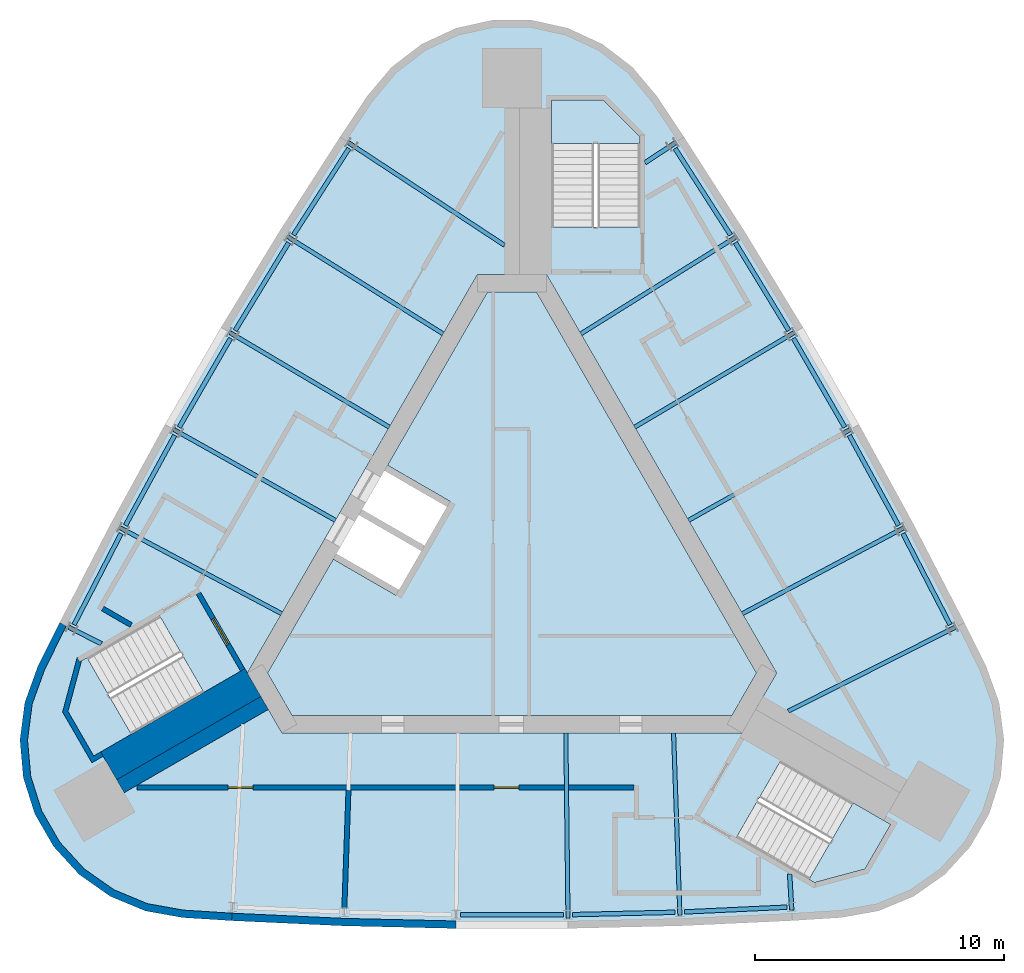
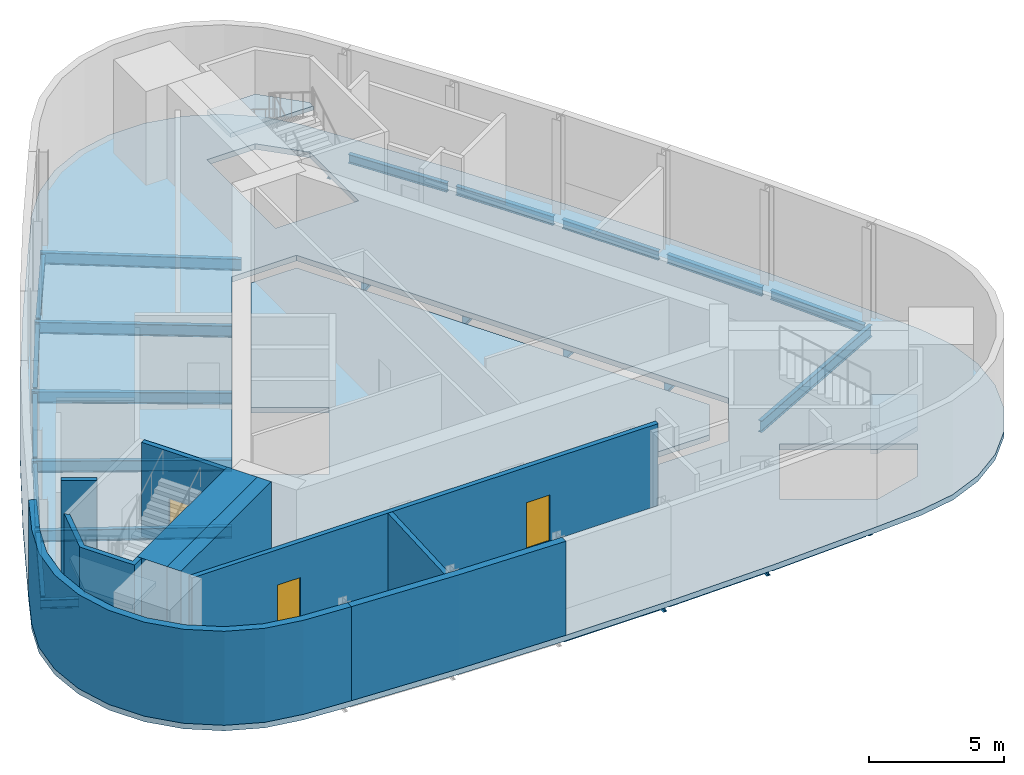
# One storey, part 3 of 7: 28 beams, 9 walls, 5 slabs, 3 doors, 3 openings, 3 elements without a shape of their own.
"""IFC4 building model written with IfcOpenShell, lengths in metres."""

import ifcopenshell
import ifcopenshell.guid

model = None  # the IFC model being written
_history = None  # IfcOwnerHistory: only IFC2X3 demands one
_inside = {}  # id of a spatial element -> (the spatial element, [elements in it])
_under = {}  # id of a project, library or spatial element -> (it, [spatial elements below it])
_declared = {}  # id of a project -> (the project, [libraries it declares])
_typed = {}  # id of a type object -> (the type object, [elements of that type])
_made_of = {}  # id of a material, layer set ... -> (it, [elements and type objects made of it])


def new_model(schema):
    """Start an empty IFC model of exactly this schema.

    Asked for "IFC4X3", IfcOpenShell would pick the latest addendum, in which some entities
    have other attributes; the version numbers below select the first issue.
    IFC2X3 requires an IfcOwnerHistory on every rooted entity: one is made here for all.
    """
    global model, _history
    if schema == "IFC4X3":
        model = ifcopenshell.file(schema_version=(4, 3, 0, 0))
    else:
        model = ifcopenshell.file(schema=schema)
    _inside.clear()
    _under.clear()
    _declared.clear()
    _typed.clear()
    _made_of.clear()
    _history = None
    if model.schema == "IFC2X3":
        org = make("IfcOrganization", Name="unknown")
        user = make(
            "IfcPersonAndOrganization",
            ThePerson=make("IfcPerson", FamilyName="unknown"),
            TheOrganization=org,
        )
        app = make(
            "IfcApplication",
            ApplicationDeveloper=org,
            Version="unknown",
            ApplicationFullName="unknown",
            ApplicationIdentifier="unknown",
        )
        _history = make(
            "IfcOwnerHistory",
            OwningUser=user,
            OwningApplication=app,
            ChangeAction="ADDED",
            CreationDate=0,
        )
    return model


def make(cls, **values):
    """One entity of the class cls with the attributes given. An attribute that is None is left unset."""
    return model.create_entity(
        cls, **{name: value for name, value in values.items() if value is not None}
    )


def rooted(cls, **values):
    """An entity with a GlobalId (a new one), such as an element, a storey or a relation."""
    return make(cls, GlobalId=ifcopenshell.guid.new(), OwnerHistory=_history, **values)


def si_unit(unit_type, name, prefix=None):
    """IfcSIUnit, for example si_unit("LENGTHUNIT", "METRE", prefix="MILLI")."""
    return make("IfcSIUnit", UnitType=unit_type, Prefix=prefix, Name=name)


def assignment(units):
    """IfcUnitAssignment: the units of a project."""
    return None if units is None else make("IfcUnitAssignment", Units=units)


def point(xyz):
    """IfcCartesianPoint."""
    return None if xyz is None else make("IfcCartesianPoint", Coordinates=xyz)


def direction(xyz):
    """IfcDirection."""
    return None if xyz is None else make("IfcDirection", DirectionRatios=xyz)


def frame(location, z_axis=None, x_axis=None):
    """IfcAxis2Placement3D, a coordinate frame: its origin and axes. An axis left out is left unset."""
    return make(
        "IfcAxis2Placement3D",
        Location=point(location),
        Axis=direction(z_axis),
        RefDirection=direction(x_axis),
    )


def frame_2d(location, x_axis=None):
    """IfcAxis2Placement2D, a coordinate frame in the plane: its origin and x axis."""
    return make(
        "IfcAxis2Placement2D", Location=point(location), RefDirection=direction(x_axis)
    )


def origin():
    """The frame at (0, 0, 0) with its axes left unset."""
    return frame((0.0, 0.0, 0.0))


def origin_2d():
    """The frame at (0, 0) in the plane with its x axis left unset."""
    return frame_2d((0.0, 0.0))


def place(relative_to, where):
    """IfcLocalPlacement: puts the frame where relative to a parent placement (None: the world)."""
    return make(
        "IfcLocalPlacement", PlacementRelTo=relative_to, RelativePlacement=where
    )


def context(
    kind, dimensions, precision=None, world=None, true_north=None, identifier=None
):
    """IfcGeometricRepresentationContext, for example the 3D "Model" context."""
    return make(
        "IfcGeometricRepresentationContext",
        ContextIdentifier=identifier,
        ContextType=kind,
        CoordinateSpaceDimension=dimensions,
        Precision=precision,
        WorldCoordinateSystem=world,
        TrueNorth=true_north,
    )


def subcontext(parent, identifier, kind, view, scale=None):
    """IfcGeometricRepresentationSubContext, for example "Body" below "Model"."""
    return make(
        "IfcGeometricRepresentationSubContext",
        ContextIdentifier=identifier,
        ContextType=kind,
        ParentContext=parent,
        TargetScale=scale,
        TargetView=view,
    )


def project(units=None, contexts=None):
    """IfcProject with its units and contexts."""
    return rooted(
        "IfcProject",
        Name="project",
        RepresentationContexts=contexts,
        UnitsInContext=assignment(units),
    )


def spatial(cls, under=None, at=None, **own):
    """A site, building, storey or space (cls), placed at a placement, below another one or the project."""
    s = rooted(cls, ObjectPlacement=at, **own)
    if under is not None:
        _under.setdefault(under.id(), (under, []))[1].append(s)
    return s


def polyline(points):
    """IfcPolyline through the points."""
    return make("IfcPolyline", Points=[point(p) for p in points])


def profile(cls, at=None, kind="AREA", **sizes):
    """A parametric profile (cls). Its sizes go by their IFC names, for example OverallWidth=200.0."""
    return make(cls, ProfileType=kind, Position=at, **sizes)


def rectangle(**sizes):
    """IfcRectangleProfileDef."""
    return profile("IfcRectangleProfileDef", **sizes)


def i_section(**sizes):
    """IfcIShapeProfileDef."""
    return profile("IfcIShapeProfileDef", **sizes)


def outline(outer, holes=None, kind="AREA"):
    """IfcArbitraryClosedProfileDef: a profile drawn as a closed curve; with holes, ...WithVoids."""
    if holes is None:
        return make("IfcArbitraryClosedProfileDef", ProfileType=kind, OuterCurve=outer)
    return make(
        "IfcArbitraryProfileDefWithVoids",
        ProfileType=kind,
        OuterCurve=outer,
        InnerCurves=holes,
    )


def extrude(swept, where, along, depth):
    """IfcExtrudedAreaSolid: the profile swept, set in the frame where, extruded along a direction by depth."""
    return make(
        "IfcExtrudedAreaSolid",
        SweptArea=swept,
        Position=where,
        ExtrudedDirection=direction(along),
        Depth=depth,
    )


def shape(context_of_items, identifier, shape_type, items):
    """IfcShapeRepresentation: the items that make up one representation, for example the "Body"."""
    return make(
        "IfcShapeRepresentation",
        ContextOfItems=context_of_items,
        RepresentationIdentifier=identifier,
        RepresentationType=shape_type,
        Items=items,
    )


def material(Name=None, Category=None):
    """IfcMaterial."""
    return make("IfcMaterial", Name=Name, Category=Category)


def layer(
    of_material, thickness, ventilated=None, Name=None, Category=None, Priority=None
):
    """IfcMaterialLayer: one layer of a wall or slab, of a material (None: an air gap)."""
    return make(
        "IfcMaterialLayer",
        Material=of_material,
        LayerThickness=thickness,
        IsVentilated=ventilated,
        Name=Name,
        Category=Category,
        Priority=Priority,
    )


def layer_set(layers, Name=None):
    """IfcMaterialLayerSet."""
    return make("IfcMaterialLayerSet", MaterialLayers=layers, LayerSetName=Name)


def material_profile(
    of_material, cross_section, Name=None, Category=None, Priority=None
):
    """IfcMaterialProfile: a cross section and its material."""
    return make(
        "IfcMaterialProfile",
        Name=Name,
        Material=of_material,
        Profile=cross_section,
        Priority=Priority,
        Category=Category,
    )


def profile_set(profiles, Name=None, composite=None):
    """IfcMaterialProfileSet."""
    return make(
        "IfcMaterialProfileSet",
        Name=Name,
        MaterialProfiles=profiles,
        CompositeProfile=composite,
    )


def made_of(thing, what):
    """Note that an element or type object is made of a material, layer set ...; save() writes the relation."""
    if what is not None:
        _made_of.setdefault(what.id(), (what, []))[1].append(thing)
    return thing


def type_object(cls, material=None, **own):
    """A type object (cls), such as IfcWallType, which elements share."""
    return made_of(rooted(cls, **own), material)


def element(
    cls,
    number,
    at=None,
    inside=None,
    cuts=None,
    type_object=None,
    material=None,
    context=None,
    identifier="Body",
    shape_type=None,
    held_by="IfcProductDefinitionShape",
    body=None,
    shapes=None,
    **own,
):
    """One element of the class cls, such as IfcWall. Its Tag is "e" and its number.

    at: its placement. inside: the storey or other place that contains it. cuts: it is an
    opening in that element (IfcRelVoidsElement). A single representation is given by context,
    identifier, shape_type and body (its items); several are given by shapes. held_by: the class
    of the entity that holds the representations. save() writes the other relations.
    """
    e = rooted(cls, Tag="e%d" % number, ObjectPlacement=at, **own)
    if body is not None:
        shapes = [shape(context, identifier, shape_type, body)]
    if shapes is not None:
        e.Representation = make(held_by, Representations=shapes)
    if inside is not None:
        _inside.setdefault(inside.id(), (inside, []))[1].append(e)
    if cuts is not None:
        rooted(
            "IfcRelVoidsElement", RelatingBuildingElement=cuts, RelatedOpeningElement=e
        )
    if type_object is not None:
        _typed.setdefault(type_object.id(), (type_object, []))[1].append(e)
    return made_of(e, material)


def fill(opening, filler):
    """IfcRelFillsElement: the door or window that sits in an opening."""
    return rooted(
        "IfcRelFillsElement",
        RelatingOpeningElement=opening,
        RelatedBuildingElement=filler,
    )


def aggregate(whole, parts):
    """IfcRelAggregates: a whole, such as a stair, and the parts it consists of."""
    return rooted("IfcRelAggregates", RelatingObject=whole, RelatedObjects=parts)


def save(model, path):
    """Write the relations noted so far, then the file.

    IfcRelAggregates (storeys below a building ...), IfcRelContainedInSpatialStructure (elements
    in a storey), IfcRelDefinesByType, IfcRelAssociatesMaterial and IfcRelDeclares: one each for
    every whole, place, type object, material and project.
    """
    for whole, parts in _under.values():
        aggregate(whole, parts)
    for where, things in _inside.values():
        rooted(
            "IfcRelContainedInSpatialStructure",
            RelatedElements=things,
            RelatingStructure=where,
        )
    for kind, things in _typed.values():
        rooted("IfcRelDefinesByType", RelatedObjects=things, RelatingType=kind)
    for what, things in _made_of.values():
        rooted("IfcRelAssociatesMaterial", RelatedObjects=things, RelatingMaterial=what)
    for by, libraries in _declared.values():
        rooted("IfcRelDeclares", RelatingContext=by, RelatedDefinitions=libraries)
    model.write(path)


model = new_model("IFC4")

# Units and contexts
model_context = context("Model", 3, precision=1e-05, world=origin(), true_north=direction((0.0, 1.0)))
body_context = subcontext(model_context, "Body", "Model", "MODEL_VIEW")
ifc_project = project(units=[si_unit("LENGTHUNIT", "METRE"), si_unit("AREAUNIT", "SQUARE_METRE"), si_unit("VOLUMEUNIT", "CUBIC_METRE"), si_unit("PLANEANGLEUNIT", "RADIAN"), si_unit("MASSUNIT", "GRAM", prefix="KILO")], contexts=[model_context])

# Site, building, storey
site_placement = place(None, origin())
site = spatial("IfcSite", under=ifc_project, at=site_placement, CompositionType="ELEMENT")
building_placement = place(site_placement, origin())
building = spatial("IfcBuilding", under=site, at=building_placement, Name="Noor Cloister Tower", CompositionType="ELEMENT")
storey_placement = place(building_placement, frame((0.0, 0.0, 297.60009765625)))
storey = spatial("IfcBuildingStorey", under=building, at=storey_placement, Name="L75", CompositionType="ELEMENT", Elevation=297.60009765625)

# Beams
ifc_material_1 = material(Name="Steel ASTM A992 Gr 50", Category="steel")
ifc_material_profile_1 = material_profile(ifc_material_1, i_section(OverallWidth=0.177978515625, OverallDepth=0.406005859375, WebThickness=0.0078125, FlangeThickness=0.0126953125, FilletRadius=0.01025390625, at=origin_2d()), Name="W410x60")
ifc_profile_set_1 = profile_set([ifc_material_profile_1], Name="Steel ASTM A992 Gr 50")
beam_type_1 = type_object("IfcBeamType", Name="Radial beam W410x60", PredefinedType="BEAM", material=ifc_profile_set_1)
for number, where, z_axis, x_axis, name in (
    (1, (-17.762451171875, -2.69921875, -0.453125), (0.893513410786, -0.449036507141, 0.0), (0.449036507141, 0.893513410786, 0.0), "Radial beam NW 06 L75"),
    (2, (11.218994140625, -14.033203125, -0.453125), (-0.058088486933, 0.998311438222, 0.0), (-0.998311438222, -0.058088486933, 0.0), "Radial beam S 06 L75"),
    (3, (6.543701171875, 16.732421875, -0.453125), (-0.835592525802, -0.549349734526, 0.0), (0.549349734526, -0.835592525802, 0.0), "Radial beam NE 06 L75"),
):
    element("IfcBeam", number, at=place(storey_placement, frame(where, z_axis=z_axis, x_axis=x_axis)), inside=storey, type_object=beam_type_1, Name=name, PredefinedType="BEAM", context=body_context, shape_type="SweptSolid", body=[
        extrude(i_section(OverallWidth=0.177978515625, OverallDepth=0.406005859375, WebThickness=0.0078125, FlangeThickness=0.0126953125, FilletRadius=0.01025390625, at=origin_2d()), origin(), (0.0, 0.0, 1.0), 1.44580078125),
    ])
ifc_material_2 = material(Name="Steel ASTM A992 Gr 50", Category="steel")
ifc_material_profile_2 = material_profile(ifc_material_2, i_section(OverallWidth=0.166015625, OverallDepth=0.528076171875, WebThickness=0.009765625, FlangeThickness=0.013671875, FilletRadius=0.0126953125, at=origin_2d()), Name="W530x74")
ifc_profile_set_2 = profile_set([ifc_material_profile_2], Name="Steel ASTM A992 Gr 50")
beam_type_2 = type_object("IfcBeamType", Name="Radial beam W530x74", PredefinedType="BEAM", material=ifc_profile_set_2)
beam_1_placement = place(storey_placement, frame((-6.543701171875, 16.732421875, -0.51416015625), z_axis=(0.835597066484, -0.549342827825, 0.0), x_axis=(0.549342827825, 0.835597066484, 0.0)))
element("IfcBeam", 4, at=beam_1_placement, inside=storey, type_object=beam_type_2, Name="Radial beam NW 01 L75", PredefinedType="BEAM", context=body_context, shape_type="SweptSolid", body=[
    extrude(i_section(OverallWidth=0.166015625, OverallDepth=0.528076171875, WebThickness=0.009765625, FlangeThickness=0.013671875, FilletRadius=0.0126953125, at=origin_2d()), origin(), (0.0, 0.0, 1.0), 7.47216796875),
])
beam_2_placement = place(storey_placement, frame((-8.966552734375, 12.952392578125, -0.51416015625), z_axis=(0.848095755563, -0.529842985606, 0.0), x_axis=(0.529842985606, 0.848095755563, 0.0)))
element("IfcBeam", 5, at=beam_2_placement, inside=storey, type_object=beam_type_2, Name="Radial beam NW 02 L75", PredefinedType="BEAM", context=body_context, shape_type="SweptSolid", body=[
    extrude(i_section(OverallWidth=0.166015625, OverallDepth=0.528076171875, WebThickness=0.009765625, FlangeThickness=0.013671875, FilletRadius=0.0126953125, at=origin_2d()), origin(), (0.0, 0.0, 1.0), 7.317626953125),
])
beam_3_placement = place(storey_placement, frame((-11.301025390625, 9.116943359375, -0.51416015625), z_axis=(0.8601674766, -0.510011678492, 0.0), x_axis=(0.510011678492, 0.8601674766, 0.0)))
element("IfcBeam", 6, at=beam_3_placement, inside=storey, type_object=beam_type_2, Name="Radial beam NW 03 L75", PredefinedType="BEAM", context=body_context, shape_type="SweptSolid", body=[
    extrude(i_section(OverallWidth=0.166015625, OverallDepth=0.528076171875, WebThickness=0.009765625, FlangeThickness=0.013671875, FilletRadius=0.0126953125, at=origin_2d()), origin(), (0.0, 0.0, 1.0), 7.41796875),
])
beam_4_placement = place(storey_placement, frame((-13.546142578125, 5.228515625, -0.51416015625), z_axis=(0.871771481583, -0.489912730901, 0.0), x_axis=(0.489912730901, 0.871771481583, 0.0)))
element("IfcBeam", 7, at=beam_4_placement, inside=storey, type_object=beam_type_2, Name="Radial beam NW 04 L75", PredefinedType="BEAM", context=body_context, shape_type="SweptSolid", body=[
    extrude(i_section(OverallWidth=0.166015625, OverallDepth=0.528076171875, WebThickness=0.009765625, FlangeThickness=0.013671875, FilletRadius=0.0126953125, at=origin_2d()), origin(), (0.0, 0.0, 1.0), 7.417724609375),
])
beam_5_placement = place(storey_placement, frame((-15.7001953125, 1.2890625, -0.51416015625), z_axis=(0.882900936167, -0.469559300745, 0.0), x_axis=(0.469559300745, 0.882900936167, 0.0)))
element("IfcBeam", 8, at=beam_5_placement, inside=storey, type_object=beam_type_2, Name="Radial beam NW 05 L75", PredefinedType="BEAM", context=body_context, shape_type="SweptSolid", body=[
    extrude(i_section(OverallWidth=0.166015625, OverallDepth=0.528076171875, WebThickness=0.009765625, FlangeThickness=0.013671875, FilletRadius=0.0126953125, at=origin_2d()), origin(), (0.0, 0.0, 1.0), 7.317626953125),
])
beam_6_placement = place(storey_placement, frame((2.244873046875, -14.345458984375, -0.51416015625), z_axis=(-0.011585411151, 0.999932886872, 0.0), x_axis=(-0.999932886872, -0.011585411151, 0.0)))
element("IfcBeam", 9, at=beam_6_placement, inside=storey, type_object=beam_type_2, Name="Radial beam S 04 L75", PredefinedType="BEAM", context=body_context, shape_type="SweptSolid", body=[
    extrude(i_section(OverallWidth=0.166015625, OverallDepth=0.528076171875, WebThickness=0.009765625, FlangeThickness=0.013671875, FilletRadius=0.0126953125, at=origin_2d()), origin(), (0.0, 0.0, 1.0), 7.417724609375),
])
beam_7_placement = place(storey_placement, frame((6.733642578125, -14.241455078125, -0.51416015625), z_axis=(-0.034764484893, 0.999395532605, 0.0), x_axis=(-0.999395532605, -0.034764484893, 0.0)))
element("IfcBeam", 10, at=beam_7_placement, inside=storey, type_object=beam_type_2, Name="Radial beam S 05 L75", PredefinedType="BEAM", context=body_context, shape_type="SweptSolid", body=[
    extrude(i_section(OverallWidth=0.166015625, OverallDepth=0.528076171875, WebThickness=0.009765625, FlangeThickness=0.013671875, FilletRadius=0.0126953125, at=origin_2d()), origin(), (0.0, 0.0, 1.0), 7.317626953125),
])
beam_8_placement = place(storey_placement, frame((17.762451171875, -2.69921875, -0.51416015625), z_axis=(-0.893543245424, -0.448977135897, 0.0), x_axis=(0.448977135897, -0.893543245424, 0.0)))
element("IfcBeam", 11, at=beam_8_placement, inside=storey, type_object=beam_type_2, Name="Radial beam NE 01 L75", PredefinedType="BEAM", context=body_context, shape_type="SweptSolid", body=[
    extrude(i_section(OverallWidth=0.166015625, OverallDepth=0.528076171875, WebThickness=0.009765625, FlangeThickness=0.013671875, FilletRadius=0.0126953125, at=origin_2d()), origin(), (0.0, 0.0, 1.0), 7.471923828125),
])
beam_9_placement = place(storey_placement, frame((15.7001953125, 1.2890625, -0.51416015625), z_axis=(-0.882900936167, -0.469559300745, 0.0), x_axis=(0.469559300745, -0.882900936167, 0.0)))
element("IfcBeam", 12, at=beam_9_placement, inside=storey, type_object=beam_type_2, Name="Radial beam NE 02 L75", PredefinedType="BEAM", context=body_context, shape_type="SweptSolid", body=[
    extrude(i_section(OverallWidth=0.166015625, OverallDepth=0.528076171875, WebThickness=0.009765625, FlangeThickness=0.013671875, FilletRadius=0.0126953125, at=origin_2d()), origin(), (0.0, 0.0, 1.0), 7.317626953125),
])
beam_10_placement = place(storey_placement, frame((13.546142578125, 5.228515625, -0.51416015625), z_axis=(-0.871771481583, -0.489912730901, 0.0), x_axis=(0.489912730901, -0.871771481583, 0.0)))
element("IfcBeam", 13, at=beam_10_placement, inside=storey, type_object=beam_type_2, Name="Radial beam NE 03 L75", PredefinedType="BEAM", context=body_context, shape_type="SweptSolid", body=[
    extrude(i_section(OverallWidth=0.166015625, OverallDepth=0.528076171875, WebThickness=0.009765625, FlangeThickness=0.013671875, FilletRadius=0.0126953125, at=origin_2d()), origin(), (0.0, 0.0, 1.0), 7.417724609375),
])
beam_11_placement = place(storey_placement, frame((11.301025390625, 9.116943359375, -0.51416015625), z_axis=(-0.8601674766, -0.510011678492, 0.0), x_axis=(0.510011678492, -0.8601674766, 0.0)))
element("IfcBeam", 14, at=beam_11_placement, inside=storey, type_object=beam_type_2, Name="Radial beam NE 04 L75", PredefinedType="BEAM", context=body_context, shape_type="SweptSolid", body=[
    extrude(i_section(OverallWidth=0.166015625, OverallDepth=0.528076171875, WebThickness=0.009765625, FlangeThickness=0.013671875, FilletRadius=0.0126953125, at=origin_2d()), origin(), (0.0, 0.0, 1.0), 7.41796875),
])
beam_12_placement = place(storey_placement, frame((8.966552734375, 12.952392578125, -0.51416015625), z_axis=(-0.848095755563, -0.529842985606, 0.0), x_axis=(0.529842985606, -0.848095755563, 0.0)))
element("IfcBeam", 15, at=beam_12_placement, inside=storey, type_object=beam_type_2, Name="Radial beam NE 05 L75", PredefinedType="BEAM", context=body_context, shape_type="SweptSolid", body=[
    extrude(i_section(OverallWidth=0.166015625, OverallDepth=0.528076171875, WebThickness=0.009765625, FlangeThickness=0.013671875, FilletRadius=0.0126953125, at=origin_2d()), origin(), (0.0, 0.0, 1.0), 7.317626953125),
])
ifc_material_3 = material(Name="Steel ASTM A992 Gr 50", Category="steel")
ifc_material_profile_3 = material_profile(ifc_material_3, i_section(OverallWidth=0.177978515625, OverallDepth=0.406005859375, WebThickness=0.0078125, FlangeThickness=0.0126953125, FilletRadius=0.01025390625, at=origin_2d()), Name="W410x60")
ifc_profile_set_3 = profile_set([ifc_material_profile_3], Name="Steel ASTM A992 Gr 50")
beam_type_3 = type_object("IfcBeamType", Name="Spandrel beam W410x60", PredefinedType="SPANDREL", material=ifc_profile_set_3)
for number, where, z_axis, x_axis, name in (
    (16, (-6.541015625, 16.510498046875, -0.453125), (-0.539591790673, -0.841926777956, 0.0), (0.841926777956, -0.539591790673, 0.0), "Spandrel beam NW 01 L75"),
    (17, (-8.958740234375, 12.73046875, -0.453125), (-0.519967629608, -0.854185965794, 0.0), (0.854185965794, -0.519967629608, 0.0), "Spandrel beam NW 02 L75"),
    (18, (-11.2880859375, 8.8955078125, -0.453125), (-0.499989236795, -0.866031617834, 0.0), (0.866031617834, -0.499989236795, 0.0), "Spandrel beam NW 03 L75"),
    (19, (-13.528076171875, 5.00732421875, -0.453125), (-0.479794519486, -0.877380885973, 0.0), (0.877380885973, -0.479794519486, 0.0), "Spandrel beam NW 04 L75"),
    (20, (-15.677001953125, 1.068359375, -0.453125), (-0.459334235581, -0.888263508213, 0.0), (0.888263508213, -0.459334235581, 0.0), "Spandrel beam NW 05 L75"),
    (21, (-2.0595703125, -14.2236328125, -0.453125), (1.0, 0.0, 0.0), (0.0, 1.0, 0.0), "Spandrel beam S 03 L75"),
):
    element("IfcBeam", number, at=place(storey_placement, frame(where, z_axis=z_axis, x_axis=x_axis)), inside=storey, type_object=beam_type_3, Name=name, PredefinedType="SPANDREL", context=body_context, shape_type="SweptSolid", body=[
        extrude(i_section(OverallWidth=0.177978515625, OverallDepth=0.406005859375, WebThickness=0.0078125, FlangeThickness=0.0126953125, FilletRadius=0.01025390625, at=origin_2d()), origin(), (0.0, 0.0, 1.0), 4.119140625),
    ])
beam_13_placement = place(storey_placement, frame((2.427490234375, -14.21923828125, -0.453125), z_axis=(0.999731452345, 0.023173760841, 0.0), x_axis=(-0.023173760841, 0.999731452345, 0.0)))
element("IfcBeam", 22, at=beam_13_placement, inside=storey, type_object=beam_type_3, Name="Spandrel beam S 04 L75", PredefinedType="SPANDREL", context=body_context, shape_type="SweptSolid", body=[
    extrude(i_section(OverallWidth=0.177978515625, OverallDepth=0.406005859375, WebThickness=0.0078125, FlangeThickness=0.0126953125, FilletRadius=0.01025390625, at=origin_2d()), origin(), (0.0, 0.0, 1.0), 4.119384765625),
])
for number, where, z_axis, x_axis, name in (
    (23, (6.913330078125, -14.11083984375, -0.453125), (0.998925325351, 0.046348617801, 0.0), (-0.046348617801, 0.998925325351, 0.0), "Spandrel beam S 05 L75"),
    (24, (17.569091796875, -2.590576171875, -0.453125), (-0.459334235581, 0.888263508213, 0.0), (-0.888263508213, -0.459334235581, 0.0), "Spandrel beam NE 01 L75"),
    (25, (15.50439453125, 1.393310546875, -0.453125), (-0.479794519486, 0.877380885973, 0.0), (-0.877380885973, -0.479794519486, 0.0), "Spandrel beam NE 02 L75"),
    (26, (13.34765625, 5.328125, -0.453125), (-0.499989236795, 0.866031617834, 0.0), (-0.866031617834, -0.499989236795, 0.0), "Spandrel beam NE 03 L75"),
    (27, (11.1005859375, 9.2119140625, -0.453125), (-0.519967629608, 0.854185965794, 0.0), (-0.854185965794, -0.519967629608, 0.0), "Spandrel beam NE 04 L75"),
    (28, (8.763671875, 13.04248046875, -0.453125), (-0.539591790673, 0.841926777956, 0.0), (-0.841926777956, -0.539591790673, 0.0), "Spandrel beam NE 05 L75"),
):
    element("IfcBeam", number, at=place(storey_placement, frame(where, z_axis=z_axis, x_axis=x_axis)), inside=storey, type_object=beam_type_3, Name=name, PredefinedType="SPANDREL", context=body_context, shape_type="SweptSolid", body=[
        extrude(i_section(OverallWidth=0.177978515625, OverallDepth=0.406005859375, WebThickness=0.0078125, FlangeThickness=0.0126953125, FilletRadius=0.01025390625, at=origin_2d()), origin(), (0.0, 0.0, 1.0), 4.119140625),
    ])

# Slabs
ifc_material_4 = material(Name="Concrete C40/50", Category="concrete")
ifc_layer_1 = layer(ifc_material_4, 0.25)
ifc_layer_set_1 = layer_set([ifc_layer_1], Name="Core floor slab 250 C40/50")
slab_type_1 = type_object("IfcSlabType", Name="Core floor slab 250 C40/50", PredefinedType="FLOOR", material=ifc_layer_set_1)
slab_1_placement = place(storey_placement, frame((0.0, 0.0, -0.25)))
element("IfcSlab", 29, at=slab_1_placement, inside=storey, type_object=slab_type_1, Name="Core floor L75", PredefinedType="FLOOR", context=body_context, shape_type="SweptSolid", body=[
    extrude(outline(polyline([(-4.993896484375, 3.806884765625), (-2.482421875, 2.35693359375), (-4.6572265625, -1.410400390625), (-7.168701171875, 0.039794921875), (-9.80615234375, -4.5283203125), (-8.82470703125, -6.228271484375), (8.82470703125, -6.228271484375), (9.80615234375, -4.5283203125), (0.9814453125, 10.75634765625), (-0.9814453125, 10.75634765625), (-4.993896484375, 3.806884765625)])), origin(), (0.0, 0.0, 1.0), 0.25),
])
ifc_material_5 = material(Name="Concrete C40/50", Category="concrete")
ifc_layer_2 = layer(ifc_material_5, 0.25)
ifc_layer_set_2 = layer_set([ifc_layer_2], Name="Floor slab 250 C40/50")
slab_type_2 = type_object("IfcSlabType", Name="Floor slab 250 C40/50", PredefinedType="FLOOR", material=ifc_layer_set_2)
slab_2_placement = place(storey_placement, frame((0.0, 0.0, -0.25)))
element("IfcSlab", 30, at=slab_2_placement, inside=storey, type_object=slab_type_2, Name="Floor slab L75", PredefinedType="FLOOR", context=body_context, shape_type="SweptSolid", body=[
    extrude(outline(polyline([(5.809814453125, 18.609619140625), (4.830078125, 19.771484375), (3.62255859375, 20.69482421875), (2.244140625, 21.33544921875), (0.760009765625, 21.66357421875), (-0.760009765625, 21.66357421875), (-2.244140625, 21.33544921875), (-3.62255859375, 20.69482421875), (-4.830078125, 19.771484375), (-5.809814453125, 18.609619140625), (-6.9013671875, 16.967529296875), (-9.32958984375, 13.178955078125), (-11.669189453125, 9.335205078125), (-13.919189453125, 5.438232421875), (-16.078125, 1.489990234375), (-18.14501953125, -2.507080078125), (-19.021240234375, -4.2734375), (-19.53759765625, -5.702880859375), (-19.7333984375, -7.210205078125), (-19.59912109375, -8.724365234375), (-19.14111328125, -10.173583984375), (-18.381103515625, -11.489990234375), (-17.35498046875, -12.611083984375), (-16.11083984375, -13.484619140625), (-14.707763671875, -14.068603515625), (-13.21142578125, -14.336181640625), (-11.24365234375, -14.46044921875), (-6.74853515625, -14.669189453125), (-2.25, -14.7734375), (2.25, -14.7734375), (6.74853515625, -14.669189453125), (11.24365234375, -14.46044921875), (13.21142578125, -14.336181640625), (14.707763671875, -14.068603515625), (16.11083984375, -13.484619140625), (17.35498046875, -12.611083984375), (18.381103515625, -11.489990234375), (19.14111328125, -10.173583984375), (19.59912109375, -8.724365234375), (19.7333984375, -7.210205078125), (19.53759765625, -5.702880859375), (19.021240234375, -4.2734375), (18.14501953125, -2.507080078125), (16.078125, 1.489990234375), (13.919189453125, 5.438232421875), (11.669189453125, 9.335205078125), (9.32958984375, 13.178955078125), (6.9013671875, 16.967529296875), (5.809814453125, 18.609619140625)]), holes=[polyline([(8.999755859375, -11.126220703125), (12.131591796875, -12.934326171875), (14.1572265625, -12.3916015625), (15.19091796875, -10.601318359375), (10.774658203125, -8.0517578125), (8.999755859375, -11.126220703125)]), polyline([(-17.81005859375, -6.064697265625), (-16.776611328125, -7.85498046875), (-12.3603515625, -5.305419921875), (-14.13525390625, -2.23095703125), (-16.662841796875, -3.690185546875), (-17.267333984375, -4.039306640625), (-17.81005859375, -6.064697265625)]), polyline([(-10.6142578125, -4.5283203125), (-9.228759765625, -6.92822265625), (9.228759765625, -6.92822265625), (10.6142578125, -4.5283203125), (1.3857421875, 11.456298828125), (-1.3857421875, 11.456298828125), (-10.6142578125, -4.5283203125)]), polyline([(3.65283203125, 18.456298828125), (1.585693359375, 18.456298828125), (1.585693359375, 13.35693359375), (5.135498046875, 13.35693359375), (5.135498046875, 16.9736328125), (3.65283203125, 18.456298828125)])]), origin(), (0.0, 0.0, 1.0), 0.25),
])

# Stair, slab
ifc_material_6 = material(Name="Concrete C40/50", Category="concrete")
stair_type = type_object("IfcStairType", Name="Exit stair 26 risers", PredefinedType="HALF_TURN_STAIR", material=ifc_material_6)
stair_1_placement = place(storey_placement, origin())
stair_1 = element("IfcStair", 31, at=stair_1_placement, inside=storey, type_object=stair_type, Name="Exit stair ST1 L75", PredefinedType="HALF_TURN_STAIR")
ifc_material_7 = material(Name="Concrete C40/50", Category="concrete")
ifc_layer_3 = layer(ifc_material_7, 0.199951171875)
ifc_layer_set_3 = layer_set([ifc_layer_3], Name="Stair landing 200 C40/50")
slab_type_3 = type_object("IfcSlabType", Name="Stair landing 200 C40/50", PredefinedType="LANDING", material=ifc_layer_set_3)
slab_3_placement = place(storey_placement, frame((0.0, 0.0, 2.0498046875)))
slab_3 = element("IfcSlab", 32, at=slab_3_placement, type_object=slab_type_3, Name="ST1 landing 1", PredefinedType="LANDING", context=body_context, shape_type="SweptSolid", body=[
    extrude(outline(polyline([(5.135498046875, 16.7158203125), (5.135498046875, 16.9736328125), (3.65283203125, 18.456298828125), (1.585693359375, 18.456298828125), (1.585693359375, 16.7158203125), (5.135498046875, 16.7158203125)])), origin(), (0.0, 0.0, 1.0), 0.2001953125),
])
aggregate(stair_1, [slab_3])

stair_2_placement = place(storey_placement, origin())
stair_2 = element("IfcStair", 33, at=stair_2_placement, inside=storey, type_object=stair_type, Name="Exit stair ST2 L75", PredefinedType="HALF_TURN_STAIR")
slab_4_placement = place(storey_placement, frame((0.0, 0.0, 2.0498046875)))
slab_4 = element("IfcSlab", 34, at=slab_4_placement, type_object=slab_type_3, Name="ST2 landing 1", PredefinedType="LANDING", context=body_context, shape_type="SweptSolid", body=[
    extrude(outline(polyline([(-17.044189453125, -3.910400390625), (-17.267333984375, -4.039306640625), (-17.81005859375, -6.064697265625), (-16.776611328125, -7.85498046875), (-15.26904296875, -6.984619140625), (-17.044189453125, -3.910400390625)])), origin(), (0.0, 0.0, 1.0), 0.2001953125),
])
aggregate(stair_2, [slab_4])

stair_3_placement = place(storey_placement, origin())
stair_3 = element("IfcStair", 35, at=stair_3_placement, inside=storey, type_object=stair_type, Name="Exit stair ST3 L75", PredefinedType="HALF_TURN_STAIR")
slab_5_placement = place(storey_placement, frame((0.0, 0.0, 2.0498046875)))
slab_5 = element("IfcSlab", 36, at=slab_5_placement, type_object=slab_type_3, Name="ST3 landing 1", PredefinedType="LANDING", context=body_context, shape_type="SweptSolid", body=[
    extrude(outline(polyline([(11.908447265625, -12.805419921875), (12.131591796875, -12.934326171875), (14.1572265625, -12.3916015625), (15.19091796875, -10.601318359375), (13.68359375, -9.731201171875), (11.908447265625, -12.805419921875)])), origin(), (0.0, 0.0, 1.0), 0.2001953125),
])
aggregate(stair_3, [slab_5])

# Walls
ifc_material_8 = material(Name="Concrete C50/60", Category="concrete")
ifc_layer_4 = layer(ifc_material_8, 0.60009765625)
ifc_layer_set_4 = layer_set([ifc_layer_4], Name="Buttress wall 600 C50/60")
wall_type_1 = type_object("IfcWallType", Name="Buttress wall 600 C50/60", PredefinedType="SHEAR", material=ifc_layer_set_4)
wall_1_placement = place(storey_placement, frame((-9.921630859375, -5.728271484375, -0.25), z_axis=(0.0, 0.0, 1.0), x_axis=(-0.866032176823, -0.499988268569, 0.0)))
element("IfcWall", 37, at=wall_1_placement, inside=storey, type_object=wall_type_1, Name="Buttress wall SW L75", PredefinedType="SHEAR", context=body_context, shape_type="SweptSolid", body=[
    extrude(rectangle(XDim=6.678466796875, YDim=0.60009765625, at=frame_2d((3.33935546875, 0.0))), origin(), (0.0, 0.0, 1.0), 4.5),
])
ifc_material_9 = material(Name="Limestone", Category="masonry")
ifc_layer_5 = layer(ifc_material_9, 0.300048828125)
ifc_layer_set_5 = layer_set([ifc_layer_5], Name="Limestone cladding 300")
wall_type_2 = type_object("IfcWallType", Name="Limestone cladding 300", PredefinedType="NOTDEFINED", material=ifc_layer_set_5)
wall_2_placement = place(storey_placement, origin())
element("IfcWall", 38, at=wall_2_placement, inside=storey, type_object=wall_type_2, Name="Limestone pier cladding L75 1.1", PredefinedType="NOTDEFINED", context=body_context, shape_type="SweptSolid", body=[
    extrude(outline(polyline([(-18.14501953125, -2.507080078125), (-19.021240234375, -4.2734375), (-19.53759765625, -5.702880859375), (-19.7333984375, -7.210205078125), (-19.59912109375, -8.724365234375), (-19.14111328125, -10.173583984375), (-18.381103515625, -11.489990234375), (-17.35498046875, -12.611083984375), (-16.11083984375, -13.484619140625), (-14.707763671875, -14.068603515625), (-13.21142578125, -14.336181640625), (-11.24365234375, -14.46044921875), (-11.224853515625, -14.1611328125), (-13.175537109375, -14.037841796875), (-14.62255859375, -13.779052734375), (-15.96533203125, -13.22021484375), (-17.15576171875, -12.384521484375), (-18.1376953125, -11.3115234375), (-18.864990234375, -10.052001953125), (-19.30322265625, -8.6650390625), (-19.431640625, -7.21630859375), (-19.244384765625, -5.77392578125), (-18.744873046875, -4.391357421875), (-17.876220703125, -2.640380859375), (-18.14501953125, -2.507080078125)])), origin(), (0.0, 0.0, 1.0), 4.25),
])
ifc_material_10 = material(Name="Limestone", Category="masonry")
ifc_layer_6 = layer(ifc_material_10, 0.300048828125)
ifc_layer_set_6 = layer_set([ifc_layer_6], Name="Limestone panel wall 300")
wall_type_3 = type_object("IfcWallType", Name="Limestone panel wall 300", PredefinedType="NOTDEFINED", material=ifc_layer_set_6)
wall_3_placement = place(storey_placement, origin())
element("IfcWall", 39, at=wall_3_placement, inside=storey, type_object=wall_type_3, Name="Limestone crown wall L75 2a", PredefinedType="NOTDEFINED", context=body_context, shape_type="SweptSolid", body=[
    extrude(outline(polyline([(-11.24365234375, -14.46044921875), (-6.74853515625, -14.669189453125), (-2.25, -14.7734375), (-2.242919921875, -14.4736328125), (-6.73828125, -14.369384765625), (-11.229736328125, -14.160888671875), (-11.24365234375, -14.46044921875)])), origin(), (0.0, 0.0, 1.0), 4.25),
])
ifc_material_11 = material(Name="Concrete C50/60", Category="concrete")
ifc_layer_7 = layer(ifc_material_11, 1.285888671875)
ifc_layer_set_7 = layer_set([ifc_layer_7], Name="Stair enclosure wall 1286 C50/60")
wall_type_4 = type_object("IfcWallType", Name="Stair enclosure wall 1286 C50/60", PredefinedType="SHEAR", material=ifc_layer_set_7)
wall_4_placement = place(storey_placement, frame((-10.392822265625, -4.91162109375, -0.25), z_axis=(0.0, 0.0, 1.0), x_axis=(-0.866025486527, -0.499999856685, 0.0)))
element("IfcWall", 40, at=wall_4_placement, inside=storey, type_object=wall_type_4, Name="Stair enclosure wall ST2 L75 riser side", PredefinedType="SHEAR", context=body_context, shape_type="SweptSolid", body=[
    extrude(rectangle(XDim=6.6787109375, YDim=1.28564453125, at=frame_2d((3.33935546875, 0.0))), origin(), (0.0, 0.0, 1.0), 4.5),
])

# Wall, opening, door
ifc_material_12 = material(Name="Concrete C50/60", Category="concrete")
ifc_layer_8 = layer(ifc_material_12, 0.199951171875)
ifc_layer_set_8 = layer_set([ifc_layer_8], Name="Stair enclosure wall 200 C50/60")
wall_type_5 = type_object("IfcWallType", Name="Stair enclosure wall 200 C50/60", PredefinedType="SHEAR", material=ifc_layer_set_8)
wall_5_placement = place(storey_placement, frame((-12.575927734375, -1.33056640625, -0.25), z_axis=(0.0, 0.0, 1.0), x_axis=(0.499970499736, -0.8660424351, 0.0)))
wall_5 = element("IfcWall", 41, at=wall_5_placement, inside=storey, type_object=wall_type_5, Name="Stair enclosure wall ST2 L75 near end", PredefinedType="SHEAR", context=body_context, shape_type="SweptSolid", body=[
    extrude(rectangle(XDim=3.550048828125, YDim=0.199951171875, at=frame_2d((1.77490234375, 0.0))), origin(), (0.0, 0.0, 1.0), 4.5),
])
opening_1_placement = place(wall_5_placement, frame((1.175048828125, 0.0, 0.25)))
opening_1 = element("IfcOpeningElement", 42, at=opening_1_placement, cuts=wall_5, Name="Opening L75-ST2L", PredefinedType="OPENING", context=body_context, shape_type="SweptSolid", body=[
    extrude(rectangle(XDim=1.199951171875, YDim=2.10009765625, at=frame_2d((0.60009765625, 1.050048828125))), frame((0.0, 0.10986328125, 0.0), z_axis=(0.0, -1.0, 0.0), x_axis=(1.0, 0.0, 0.0)), (0.0, 0.0, 1.0), 0.219970703125),
])
ifc_material_13 = material(Name="Steel", Category="steel")
door_type_1 = type_object("IfcDoorType", Name="Stair door 1200 x 2100 FD120", OperationType="SINGLE_SWING_LEFT", PredefinedType="DOOR", material=ifc_material_13)
door_1_placement = place(opening_1_placement, origin())
door_1 = element("IfcDoor", 43, at=door_1_placement, inside=storey, type_object=door_type_1, Name="Stair door ST2 L75", OperationType="SINGLE_SWING_RIGHT", OverallHeight=2.10009765625, OverallWidth=1.199951171875, PredefinedType="DOOR", context=body_context, shape_type="SweptSolid", body=[
    extrude(rectangle(XDim=1.199951171875, YDim=2.10009765625, at=frame_2d((0.60009765625, 1.050048828125))), frame((0.0, 0.02490234375, 0.0), z_axis=(0.0, -1.0, 0.0), x_axis=(1.0, 0.0, 0.0)), (0.0, 0.0, 1.0), 0.050048828125),
])
fill(opening_1, door_1)

# Walls
ifc_material_14 = material(Name="Concrete C50/60", Category="concrete")
wall_type_6 = type_object("IfcWallType", Name="Stair far end wall C50/60", PredefinedType="SHEAR", material=ifc_material_14)
wall_6_placement = place(storey_placement, frame((0.0, 0.0, -0.25)))
element("IfcWall", 44, at=wall_6_placement, inside=storey, type_object=wall_type_6, Name="Stair enclosure wall ST2 L75 far end", PredefinedType="SHEAR", context=body_context, shape_type="SweptSolid", body=[
    extrude(outline(polyline([(-17.439208984375, -3.907470703125), (-18.024658203125, -6.093017578125), (-16.849609375, -8.128173828125), (-16.398193359375, -7.867431640625), (-16.498291015625, -7.6943359375), (-16.498291015625, -7.6943359375), (-16.776611328125, -7.85498046875), (-17.81005859375, -6.064697265625), (-17.267333984375, -4.039306640625), (-17.339111328125, -4.08056640625), (-17.339111328125, -4.08056640625), (-17.339111328125, -4.08056640625), (-17.339111328125, -4.08056640625), (-17.339111328125, -4.08056640625), (-17.339111328125, -4.08056640625), (-17.339111328125, -4.08056640625), (-17.339111328125, -4.08056640625), (-17.339111328125, -4.08056640625), (-17.339111328125, -4.08056640625), (-17.339111328125, -4.08056640625), (-17.339111328125, -4.08056640625), (-17.339111328125, -4.08056640625), (-17.339111328125, -4.08056640625), (-17.339111328125, -4.08056640625), (-17.339111328125, -4.08056640625), (-17.339111328125, -4.08056640625), (-17.439208984375, -3.907470703125)])), origin(), (0.0, 0.0, 1.0), 4.5),
])
ifc_material_15 = material(Name="Concrete block wall, 200 mm", Category="concrete")
ifc_layer_9 = layer(ifc_material_15, 0.199951171875)
ifc_layer_set_9 = layer_set([ifc_layer_9], Name="Upper floor plant room wall 200")
wall_type_7 = type_object("IfcWallType", Name="Upper floor plant room wall 200", PredefinedType="PARTITIONING", material=ifc_layer_set_9)
wall_7_placement = place(storey_placement, frame((-16.4208984375, -1.942138671875, 0.0), z_axis=(0.0, 0.0, 1.0), x_axis=(0.865991484893, -0.500058744641, 0.0)))
element("IfcWall", 45, at=wall_7_placement, inside=storey, type_object=wall_type_7, Name="Upper floor plant room wall 200 L75 006", PredefinedType="PARTITIONING", context=body_context, shape_type="SweptSolid", body=[
    extrude(rectangle(XDim=1.319580078125, YDim=0.199951171875, at=frame_2d((0.65966796875, 0.0))), origin(), (0.0, 0.0, 1.0), 4.25),
])

# Wall, openings, doors
wall_8_placement = place(storey_placement, frame((-15.037353515625, -9.128173828125, 0.0), z_axis=(0.0, 0.0, 1.0), x_axis=(1.0, 0.0, 0.0)))
wall_8 = element("IfcWall", 46, at=wall_8_placement, inside=storey, type_object=wall_type_7, Name="Upper floor plant room wall 200 L75 010", PredefinedType="PARTITIONING", context=body_context, shape_type="SweptSolid", body=[
    extrude(rectangle(XDim=19.937255859375, YDim=0.199951171875, at=frame_2d((9.96875, 0.0))), origin(), (0.0, 0.0, 1.0), 3.701904296875),
])
opening_2_placement = place(wall_8_placement, frame((3.654052734375, 0.0, 0.0)))
opening_2 = element("IfcOpeningElement", 47, at=opening_2_placement, cuts=wall_8, Name="Opening L75-004", PredefinedType="OPENING", context=body_context, shape_type="SweptSolid", body=[
    extrude(rectangle(XDim=1.0, YDim=2.10009765625, at=frame_2d((0.5, 1.050048828125))), frame((0.0, 0.10986328125, 0.0), z_axis=(0.0, -1.0, 0.0), x_axis=(1.0, 0.0, 0.0)), (0.0, 0.0, 1.0), 0.219970703125),
])
opening_3_placement = place(wall_8_placement, frame((14.30908203125, 0.0, 0.0)))
opening_3 = element("IfcOpeningElement", 48, at=opening_3_placement, cuts=wall_8, Name="Opening L75-005", PredefinedType="OPENING", context=body_context, shape_type="SweptSolid", body=[
    extrude(rectangle(XDim=1.0, YDim=2.10009765625, at=frame_2d((0.5, 1.050048828125))), frame((0.0, 0.10986328125, 0.0), z_axis=(0.0, -1.0, 0.0), x_axis=(1.0, 0.0, 0.0)), (0.0, 0.0, 1.0), 0.219970703125),
])
ifc_material_16 = material(Name="Timber door leaf with steel frame", Category="steel")
door_type_2 = type_object("IfcDoorType", Name="Plant room door 1000", OperationType="NOTDEFINED", PredefinedType="DOOR", material=ifc_material_16)
door_2_placement = place(opening_2_placement, origin())
door_2 = element("IfcDoor", 49, at=door_2_placement, inside=storey, type_object=door_type_2, Name="Plant room door 1000 L75-004", OperationType="SINGLE_SWING_LEFT", OverallHeight=2.10009765625, OverallWidth=1.0, PredefinedType="DOOR", context=body_context, shape_type="SweptSolid", body=[
    extrude(rectangle(XDim=1.0, YDim=2.10009765625, at=frame_2d((0.5, 1.050048828125))), frame((0.0, 0.02490234375, 0.0), z_axis=(0.0, -1.0, 0.0), x_axis=(1.0, 0.0, 0.0)), (0.0, 0.0, 1.0), 0.050048828125),
])
fill(opening_2, door_2)
door_3_placement = place(opening_3_placement, origin())
door_3 = element("IfcDoor", 50, at=door_3_placement, inside=storey, type_object=door_type_2, Name="Plant room door 1000 L75-005", OperationType="SINGLE_SWING_RIGHT", OverallHeight=2.10009765625, OverallWidth=1.0, PredefinedType="DOOR", context=body_context, shape_type="SweptSolid", body=[
    extrude(rectangle(XDim=1.0, YDim=2.10009765625, at=frame_2d((0.5, 1.050048828125))), frame((0.0, 0.02490234375, 0.0), z_axis=(0.0, -1.0, 0.0), x_axis=(1.0, 0.0, 0.0)), (0.0, 0.0, 1.0), 0.050048828125),
])
fill(opening_3, door_3)

# Wall
wall_9_placement = place(storey_placement, frame((-6.724365234375, -13.969482421875, 0.0), z_axis=(0.0, 0.0, 1.0), x_axis=(0.034813471468, 0.99939382738, 0.0)))
element("IfcWall", 51, at=wall_9_placement, inside=storey, type_object=wall_type_7, Name="Upper floor plant room wall 200 L75 011", PredefinedType="PARTITIONING", context=body_context, shape_type="SweptSolid", body=[
    extrude(rectangle(XDim=4.74072265625, YDim=0.199951171875, at=frame_2d((2.370361328125, 0.0))), origin(), (0.0, 0.0, 1.0), 3.701904296875),
])

save(model, "model.ifc")
